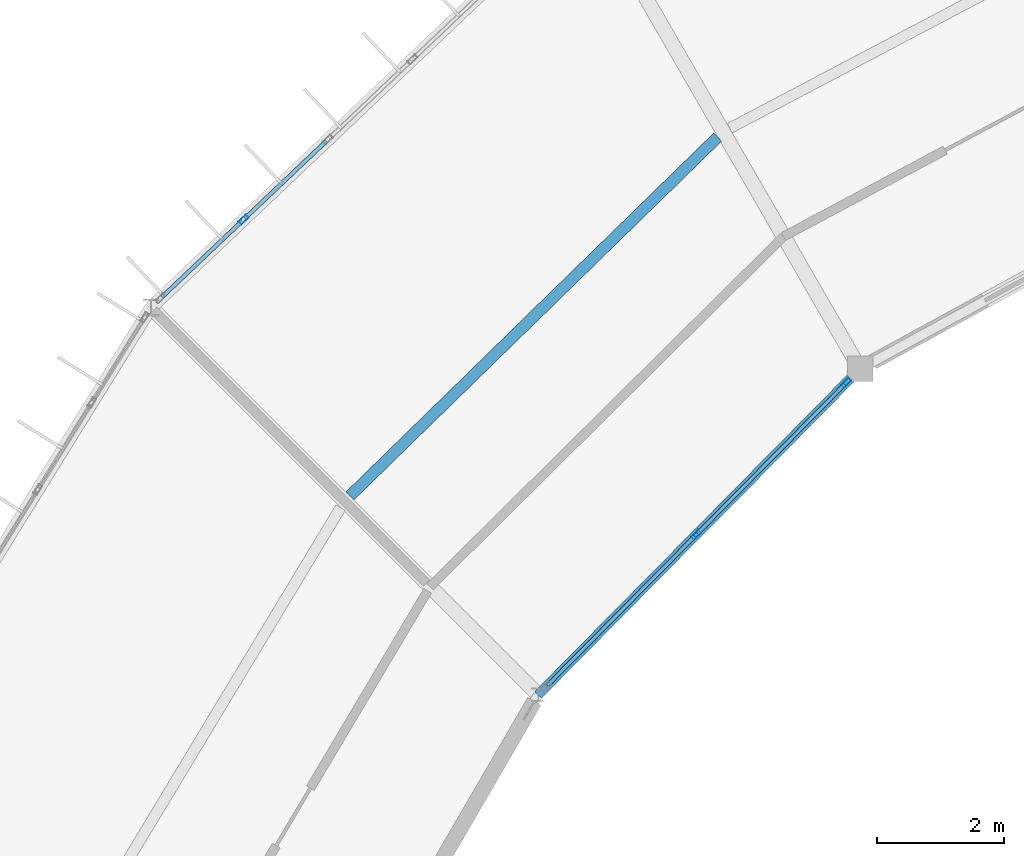
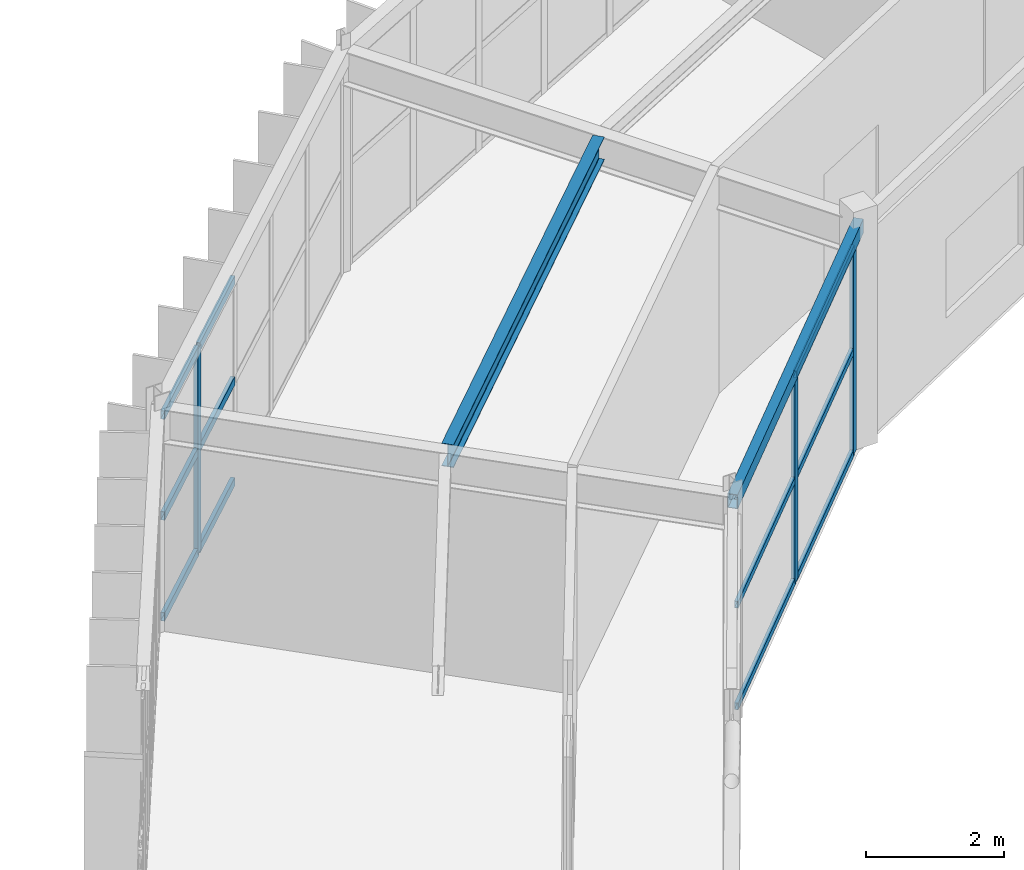
# One storey, part 66 of 130: 15 members, 2 beams, 2 elements without a shape of their own.
"""IFC4 building model written with IfcOpenShell, lengths in metres."""

from ifc_helpers import new_model, si_unit, direction, frame, origin, origin_2d, place, context, subcontext, project, spatial, hollow_rectangle, i_section, extrude, material, material_profile, profile_set, type_object, element, aggregate, save


model = new_model("IFC4")

# Units and contexts
model_context = context("Model", 3, precision=1e-05, world=origin(), true_north=direction((0.0, 1.0)))
body_context = subcontext(model_context, "Body", "Model", "MODEL_VIEW")
ifc_project = project(units=[si_unit("LENGTHUNIT", "METRE"), si_unit("AREAUNIT", "SQUARE_METRE"), si_unit("VOLUMEUNIT", "CUBIC_METRE"), si_unit("PLANEANGLEUNIT", "RADIAN"), si_unit("MASSUNIT", "GRAM", prefix="KILO")], contexts=[model_context])

# Site, building, storey
site_placement = place(None, origin())
site = spatial("IfcSite", under=ifc_project, at=site_placement, CompositionType="ELEMENT")
building_placement = place(site_placement, origin())
building = spatial("IfcBuilding", under=site, at=building_placement, Name="Karori Crest Natural Sciences Institute", CompositionType="ELEMENT")
storey_placement = place(building_placement, frame((0.0, 0.0, 17.5)))
storey = spatial("IfcBuildingStorey", under=building, at=storey_placement, Name="L04", CompositionType="ELEMENT", Elevation=17.5)

# Beams
ifc_material_1 = material(Name="Hollow structural steel AS/NZS 1163 Grade C350", Category="steel")
ifc_material_profile_1 = material_profile(ifc_material_1, hollow_rectangle(XDim=0.14990234375, YDim=0.25, WallThickness=0.009033203125, at=origin_2d()), Name="RHS250x150x9")
ifc_profile_set_1 = profile_set([ifc_material_profile_1], Name="Hollow structural steel AS/NZS 1163 Grade C350")
beam_type_1 = type_object("IfcBeamType", Name="BT-16", PredefinedType="SPANDREL", material=ifc_profile_set_1)
beam_1_placement = place(storey_placement, frame((54.199951171875, 77.785888671875, 3.7900390625), z_axis=(-0.70266285879, -0.711522948946, 0.0), x_axis=(0.711522948946, -0.70266285879, 0.0)))
element("IfcBeam", 1, at=beam_1_placement, inside=storey, type_object=beam_type_1, Name="Beam B-0482", PredefinedType="SPANDREL", context=body_context, shape_type="SweptSolid", body=[
    extrude(hollow_rectangle(XDim=0.14990234375, YDim=0.25, WallThickness=0.009033203125, at=origin_2d()), origin(), (0.0, 0.0, 1.0), 7.19189453125),
])
ifc_material_2 = material(Name="Structural steel AS/NZS 3679.1 Grade 350", Category="steel")
ifc_material_profile_2 = material_profile(ifc_material_2, i_section(OverallWidth=0.177978515625, OverallDepth=0.403076171875, WebThickness=0.007568359375, FlangeThickness=0.010986328125, FilletRadius=0.010986328125, at=origin_2d()), Name="410UB53.7")
ifc_profile_set_2 = profile_set([ifc_material_profile_2], Name="Structural steel AS/NZS 3679.1 Grade 350")
beam_type_2 = type_object("IfcBeamType", Name="BT-29", PredefinedType="BEAM", material=ifc_profile_set_2)
beam_2_placement = place(storey_placement, frame((51.964111328125, 81.426025390625, 3.738525390625), z_axis=(-0.715696324431, -0.698411605857, 0.0), x_axis=(0.698411605857, -0.715696324431, 0.0)))
element("IfcBeam", 2, at=beam_2_placement, inside=storey, type_object=beam_type_2, Name="Beam B-0484", PredefinedType="BEAM", context=body_context, shape_type="SweptSolid", body=[
    extrude(i_section(OverallWidth=0.177978515625, OverallDepth=0.403076171875, WebThickness=0.007568359375, FlangeThickness=0.010986328125, FilletRadius=0.010986328125, at=origin_2d()), origin(), (0.0, 0.0, 1.0), 8.065185546875),
])

# Curtain wall, member
ifc_material_3 = material(Name="Anodised architectural aluminium 6063-T6", Category="aluminium")
curtain_wall_type_1 = type_object("IfcCurtainWallType", Name="CWT-09", PredefinedType="NOTDEFINED", material=ifc_material_3)
curtain_wall_1_placement = place(storey_placement, origin())
curtain_wall_1 = element("IfcCurtainWall", 3, at=curtain_wall_1_placement, inside=storey, type_object=curtain_wall_type_1, Name="Curtain wall CW-0148", PredefinedType="NOTDEFINED")
ifc_material_profile_3 = material_profile(ifc_material_3, hollow_rectangle(XDim=0.06494140625, YDim=0.159912109375, WallThickness=0.00390625, at=origin_2d()), Name="CWM160x65x4")
ifc_profile_set_3 = profile_set([ifc_material_profile_3], Name="Anodised architectural aluminium 6063-T6")
member_type_1 = type_object("IfcMemberType", Name="CWM-01", PredefinedType="MULLION", material=ifc_profile_set_3)
member_1_placement = place(storey_placement, frame((44.5185546875, 80.12841796875, 0.0), z_axis=(0.0, 0.0, 1.0), x_axis=(-0.688250542104, 0.725473081026, 0.0)))
member_1 = element("IfcMember", 4, at=member_1_placement, type_object=member_type_1, Name="CW-0148 mullion 2", PredefinedType="MULLION", context=body_context, shape_type="SweptSolid", body=[
    extrude(hollow_rectangle(XDim=0.06494140625, YDim=0.159912109375, WallThickness=0.00390625, at=origin_2d()), origin(), (0.0, 0.0, 1.0), 3.625),
])

# Curtain wall, members
curtain_wall_type_2 = type_object("IfcCurtainWallType", Name="CWT-14", PredefinedType="NOTDEFINED", material=ifc_material_3)
curtain_wall_2_placement = place(storey_placement, origin())
curtain_wall_2 = element("IfcCurtainWall", 5, at=curtain_wall_2_placement, inside=storey, type_object=curtain_wall_type_2, Name="Curtain wall CW-0149", PredefinedType="NOTDEFINED")
member_2_placement = place(storey_placement, frame((53.98095703125, 77.564208984375, 0.0), z_axis=(0.0, 0.0, 1.0), x_axis=(0.711524963942, -0.702660818381, 0.0)))
member_2 = element("IfcMember", 6, at=member_2_placement, type_object=member_type_1, Name="CW-0149 mullion 1", PredefinedType="MULLION", context=body_context, shape_type="SweptSolid", body=[
    extrude(hollow_rectangle(XDim=0.06494140625, YDim=0.159912109375, WallThickness=0.00390625, at=origin_2d()), origin(), (0.0, 0.0, 1.0), 3.64990234375),
])
member_3_placement = place(storey_placement, frame((51.625732421875, 75.17919921875, 0.0), z_axis=(0.0, 0.0, 1.0), x_axis=(0.711524963942, -0.702660818381, 0.0)))
member_3 = element("IfcMember", 7, at=member_3_placement, type_object=member_type_1, Name="CW-0149 mullion 2", PredefinedType="MULLION", context=body_context, shape_type="SweptSolid", body=[
    extrude(hollow_rectangle(XDim=0.06494140625, YDim=0.159912109375, WallThickness=0.00390625, at=origin_2d()), origin(), (0.0, 0.0, 1.0), 3.64990234375),
])
ifc_material_profile_4 = material_profile(ifc_material_3, hollow_rectangle(XDim=0.06005859375, YDim=0.1201171875, WallThickness=0.00390625, at=origin_2d()), Name="CWT120x60x4")
ifc_profile_set_4 = profile_set([ifc_material_profile_4], Name="Anodised architectural aluminium 6063-T6")
member_type_2 = type_object("IfcMemberType", Name="CWT-TR1", PredefinedType="USERDEFINED", material=ifc_profile_set_4)
member_4_placement = place(storey_placement, frame((53.958251953125, 77.541259765625, 0.030029296875), z_axis=(-0.702636271003, -0.711549204673, 0.0), x_axis=(0.711549204673, -0.702636271003, 0.0)))
member_4 = element("IfcMember", 8, at=member_4_placement, type_object=member_type_2, Name="CW-0149 transom 1.1", ObjectType="TRANSOM", PredefinedType="USERDEFINED", context=body_context, shape_type="SweptSolid", body=[
    extrude(hollow_rectangle(XDim=0.06005859375, YDim=0.1201171875, WallThickness=0.00390625, at=origin_2d()), origin(), (0.0, 0.0, 1.0), 3.287109375),
])
member_5_placement = place(storey_placement, frame((53.958251953125, 77.541259765625, 1.824951171875), z_axis=(-0.702636271003, -0.711549204673, 0.0), x_axis=(0.711549204673, -0.702636271003, 0.0)))
member_5 = element("IfcMember", 9, at=member_5_placement, type_object=member_type_2, Name="CW-0149 transom 1.2", ObjectType="TRANSOM", PredefinedType="USERDEFINED", context=body_context, shape_type="SweptSolid", body=[
    extrude(hollow_rectangle(XDim=0.06005859375, YDim=0.1201171875, WallThickness=0.00390625, at=origin_2d()), origin(), (0.0, 0.0, 1.0), 3.287109375),
])
member_6_placement = place(storey_placement, frame((53.958251953125, 77.541259765625, 3.6201171875), z_axis=(-0.702636271003, -0.711549204673, 0.0), x_axis=(0.711549204673, -0.702636271003, 0.0)))
member_6 = element("IfcMember", 10, at=member_6_placement, type_object=member_type_2, Name="CW-0149 transom 1.3", ObjectType="TRANSOM", PredefinedType="USERDEFINED", context=body_context, shape_type="SweptSolid", body=[
    extrude(hollow_rectangle(XDim=0.06005859375, YDim=0.1201171875, WallThickness=0.00390625, at=origin_2d()), origin(), (0.0, 0.0, 1.0), 3.287109375),
])
member_7_placement = place(storey_placement, frame((51.60302734375, 75.15625, 0.030029296875), z_axis=(-0.702636271003, -0.711549204673, 0.0), x_axis=(0.711549204673, -0.702636271003, 0.0)))
member_7 = element("IfcMember", 11, at=member_7_placement, type_object=member_type_2, Name="CW-0149 transom 2.1", ObjectType="TRANSOM", PredefinedType="USERDEFINED", context=body_context, shape_type="SweptSolid", body=[
    extrude(hollow_rectangle(XDim=0.06005859375, YDim=0.1201171875, WallThickness=0.00390625, at=origin_2d()), origin(), (0.0, 0.0, 1.0), 3.287109375),
])
member_8_placement = place(storey_placement, frame((51.60302734375, 75.15625, 1.824951171875), z_axis=(-0.702636271003, -0.711549204673, 0.0), x_axis=(0.711549204673, -0.702636271003, 0.0)))
member_8 = element("IfcMember", 12, at=member_8_placement, type_object=member_type_2, Name="CW-0149 transom 2.2", ObjectType="TRANSOM", PredefinedType="USERDEFINED", context=body_context, shape_type="SweptSolid", body=[
    extrude(hollow_rectangle(XDim=0.06005859375, YDim=0.1201171875, WallThickness=0.00390625, at=origin_2d()), origin(), (0.0, 0.0, 1.0), 3.287109375),
])
member_9_placement = place(storey_placement, frame((51.60302734375, 75.15625, 3.6201171875), z_axis=(-0.702636271003, -0.711549204673, 0.0), x_axis=(0.711549204673, -0.702636271003, 0.0)))
member_9 = element("IfcMember", 13, at=member_9_placement, type_object=member_type_2, Name="CW-0149 transom 2.3", ObjectType="TRANSOM", PredefinedType="USERDEFINED", context=body_context, shape_type="SweptSolid", body=[
    extrude(hollow_rectangle(XDim=0.06005859375, YDim=0.1201171875, WallThickness=0.00390625, at=origin_2d()), origin(), (0.0, 0.0, 1.0), 3.287109375),
])
aggregate(curtain_wall_2, [member_2, member_3, member_4, member_5, member_6, member_7, member_8, member_9])

# Member
ifc_material_profile_5 = material_profile(ifc_material_3, hollow_rectangle(XDim=0.06494140625, YDim=0.14990234375, WallThickness=0.00390625, at=origin_2d()), Name="CWT150x65x4")
ifc_profile_set_5 = profile_set([ifc_material_profile_5], Name="Anodised architectural aluminium 6063-T6")
member_type_3 = type_object("IfcMemberType", Name="CWT-TR2", PredefinedType="USERDEFINED", material=ifc_profile_set_5)
member_10_placement = place(storey_placement, frame((43.2392578125, 78.914794921875, 0.032470703125), z_axis=(0.725481758098, 0.688241395636, 0.0), x_axis=(-0.688241395636, 0.725481758098, 0.0)))
member_10 = element("IfcMember", 14, at=member_10_placement, type_object=member_type_3, Name="CW-0148 transom 1.1", ObjectType="TRANSOM", PredefinedType="USERDEFINED", context=body_context, shape_type="SweptSolid", body=[
    extrude(hollow_rectangle(XDim=0.06494140625, YDim=0.14990234375, WallThickness=0.00390625, at=origin_2d()), origin(), (0.0, 0.0, 1.0), 1.730712890625),
])

member_11_placement = place(storey_placement, frame((43.2392578125, 78.914794921875, 1.8125), z_axis=(0.725481758098, 0.688241395636, 0.0), x_axis=(-0.688241395636, 0.725481758098, 0.0)))
member_11 = element("IfcMember", 15, at=member_11_placement, type_object=member_type_3, Name="CW-0148 transom 1.2", ObjectType="TRANSOM", PredefinedType="USERDEFINED", context=body_context, shape_type="SweptSolid", body=[
    extrude(hollow_rectangle(XDim=0.06494140625, YDim=0.14990234375, WallThickness=0.00390625, at=origin_2d()), origin(), (0.0, 0.0, 1.0), 1.730712890625),
])

member_12_placement = place(storey_placement, frame((43.2392578125, 78.914794921875, 3.592529296875), z_axis=(0.725481758098, 0.688241395636, 0.0), x_axis=(-0.688241395636, 0.725481758098, 0.0)))
member_12 = element("IfcMember", 16, at=member_12_placement, type_object=member_type_3, Name="CW-0148 transom 1.3", ObjectType="TRANSOM", PredefinedType="USERDEFINED", context=body_context, shape_type="SweptSolid", body=[
    extrude(hollow_rectangle(XDim=0.06494140625, YDim=0.14990234375, WallThickness=0.00390625, at=origin_2d()), origin(), (0.0, 0.0, 1.0), 1.730712890625),
])

member_13_placement = place(storey_placement, frame((44.5419921875, 80.15087890625, 0.032470703125), z_axis=(0.725548767107, 0.688170753919, 0.0), x_axis=(-0.688170753919, 0.725548767107, 0.0)))
member_13 = element("IfcMember", 17, at=member_13_placement, type_object=member_type_3, Name="CW-0148 transom 2.1", ObjectType="TRANSOM", PredefinedType="USERDEFINED", context=body_context, shape_type="SweptSolid", body=[
    extrude(hollow_rectangle(XDim=0.06494140625, YDim=0.14990234375, WallThickness=0.00390625, at=origin_2d()), origin(), (0.0, 0.0, 1.0), 1.763427734375),
])

member_14_placement = place(storey_placement, frame((44.5419921875, 80.15087890625, 1.8125), z_axis=(0.725548767107, 0.688170753919, 0.0), x_axis=(-0.688170753919, 0.725548767107, 0.0)))
member_14 = element("IfcMember", 18, at=member_14_placement, type_object=member_type_3, Name="CW-0148 transom 2.2", ObjectType="TRANSOM", PredefinedType="USERDEFINED", context=body_context, shape_type="SweptSolid", body=[
    extrude(hollow_rectangle(XDim=0.06494140625, YDim=0.14990234375, WallThickness=0.00390625, at=origin_2d()), origin(), (0.0, 0.0, 1.0), 1.763427734375),
])

member_15_placement = place(storey_placement, frame((44.5419921875, 80.15087890625, 3.592529296875), z_axis=(0.725548767107, 0.688170753919, 0.0), x_axis=(-0.688170753919, 0.725548767107, 0.0)))
member_15 = element("IfcMember", 19, at=member_15_placement, type_object=member_type_3, Name="CW-0148 transom 2.3", ObjectType="TRANSOM", PredefinedType="USERDEFINED", context=body_context, shape_type="SweptSolid", body=[
    extrude(hollow_rectangle(XDim=0.06494140625, YDim=0.14990234375, WallThickness=0.00390625, at=origin_2d()), origin(), (0.0, 0.0, 1.0), 1.763427734375),
])

aggregate(curtain_wall_1, [member_1, member_10, member_11, member_12, member_13, member_14, member_15])

save(model, "model.ifc")
